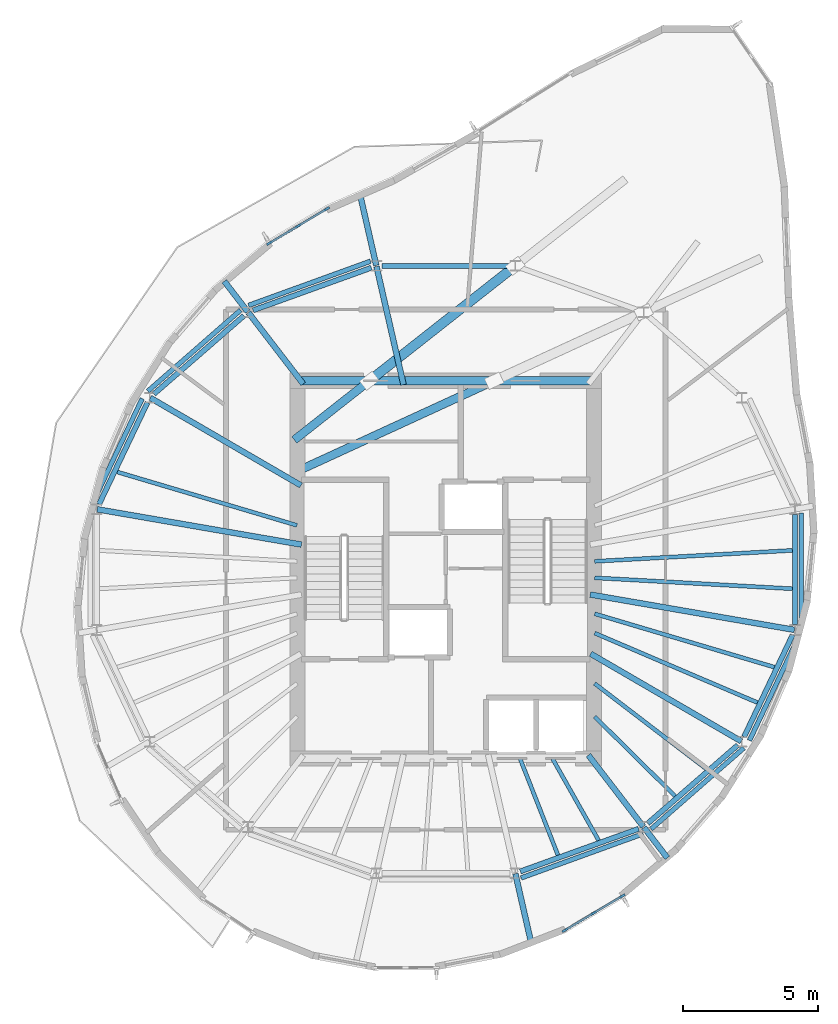
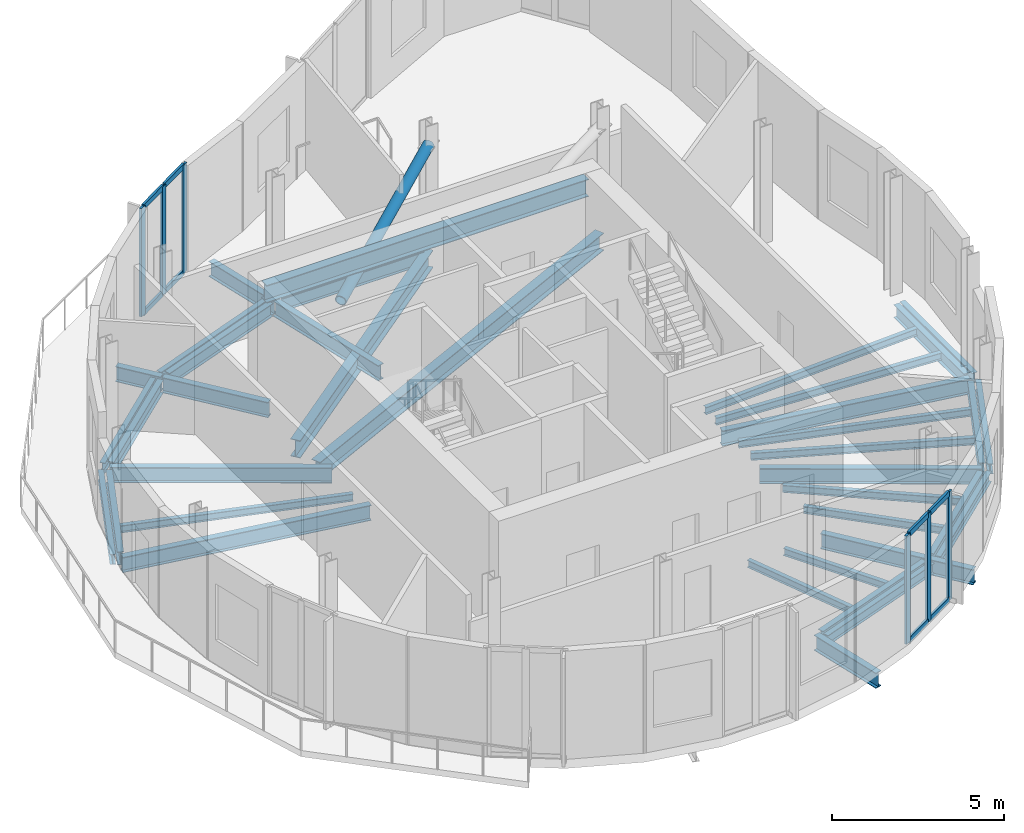
# One storey, part 2 of 8: 38 beams, 15 members, 2 elements without a shape of their own.
"""IFC4 building model written with IfcOpenShell, lengths in metres."""

from ifc_helpers import new_model, si_unit, direction, frame, origin, origin_2d, place, context, subcontext, project, spatial, rectangle, hollow_circle, i_section, extrude, material, material_profile, profile_set, type_object, element, aggregate, save


model = new_model("IFC4")

# Units and contexts
model_context = context("Model", 3, precision=1e-05, world=origin(), true_north=direction((0.0, 1.0)))
body_context = subcontext(model_context, "Body", "Model", "MODEL_VIEW")
ifc_project = project(units=[si_unit("LENGTHUNIT", "METRE"), si_unit("AREAUNIT", "SQUARE_METRE"), si_unit("VOLUMEUNIT", "CUBIC_METRE"), si_unit("PLANEANGLEUNIT", "RADIAN"), si_unit("MASSUNIT", "GRAM", prefix="KILO")], contexts=[model_context])

# Site, building, storey
site_placement = place(None, origin())
site = spatial("IfcSite", under=ifc_project, at=site_placement, CompositionType="ELEMENT")
building_placement = place(site_placement, origin())
building = spatial("IfcBuilding", under=site, at=building_placement, Name="Veldorim Arch Residences", CompositionType="ELEMENT")
storey_placement = place(building_placement, frame((0.0, 0.0, 246.8798828125)))
storey = spatial("IfcBuildingStorey", under=building, at=storey_placement, Name="L74", CompositionType="ELEMENT", Elevation=246.8798828125)

# Member
ifc_material_1 = material(Name="Steel S460", Category="steel")
ifc_material_profile_1 = material_profile(ifc_material_1, hollow_circle(Radius=0.177734375, WallThickness=0.02490234375, at=origin_2d()), Name="CHS355.6x25")
ifc_profile_set_1 = profile_set([ifc_material_profile_1], Name="Steel S460")
member_type_1 = type_object("IfcMemberType", Name="Crown Diagrid CHS355.6x25", PredefinedType="STRUT", material=ifc_profile_set_1)
member_1_placement = place(storey_placement, frame((29.16650390625, 31.0, 2.300048828125), z_axis=(0.77647321785, 0.611498069506, 0.152182301702), x_axis=(-0.618704466465, 0.785623817852, 0.0)))
element("IfcMember", 1, at=member_1_placement, inside=storey, type_object=member_type_1, Name="Observation prow truss 2 back-span brace L74", PredefinedType="STRUT", context=body_context, shape_type="SweptSolid", body=[
    extrude(hollow_circle(Radius=0.177734375, WallThickness=0.02490234375, at=origin_2d()), origin(), (0.0, 0.0, 1.0), 6.9658203125),
])

# Curtain wall, members
ifc_material_2 = material(Name="Aluminium", Category="aluminium")
curtain_wall_type = type_object("IfcCurtainWallType", Name="Sky Lounge & Conservatory Tall Curtain Wall", PredefinedType="NOTDEFINED", material=ifc_material_2)
curtain_wall_1_placement = place(storey_placement, origin())
curtain_wall_1 = element("IfcCurtainWall", 2, at=curtain_wall_1_placement, inside=storey, type_object=curtain_wall_type, Name="L74 unitised curtain wall bay 06", PredefinedType="NOTDEFINED")
ifc_material_3 = material(Name="Aluminium", Category="aluminium")
ifc_material_profile_2 = material_profile(ifc_material_3, rectangle(XDim=0.080078125, YDim=0.219970703125, at=origin_2d()), Name="ALU_MUL_80x220")
ifc_profile_set_2 = profile_set([ifc_material_profile_2], Name="Aluminium")
member_type_2 = type_object("IfcMemberType", Name="Sky Lounge & Conservatory Tall Curtain Wall Mullion 80x220", PredefinedType="MULLION", material=ifc_profile_set_2)
member_2_placement = place(storey_placement, frame((25.45751953125, 36.103759765625, 0.0), z_axis=(0.0, 0.0, 1.0), x_axis=(-0.512467262114, 0.858706763256, 0.0)))
member_2 = element("IfcMember", 3, at=member_2_placement, type_object=member_type_2, Name="CW-SKY mullion 1", PredefinedType="MULLION", context=body_context, shape_type="SweptSolid", body=[
    extrude(rectangle(XDim=0.080078125, YDim=0.219970703125, at=origin_2d()), origin(), (0.0, 0.0, 1.0), 3.840087890625),
])
member_3_placement = place(storey_placement, frame((26.522705078125, 36.739501953125, 0.0), z_axis=(0.0, 0.0, 1.0), x_axis=(-0.512467262114, 0.858706763256, 0.0)))
member_3 = element("IfcMember", 4, at=member_3_placement, type_object=member_type_2, Name="CW-SKY mullion 2", PredefinedType="MULLION", context=body_context, shape_type="SweptSolid", body=[
    extrude(rectangle(XDim=0.080078125, YDim=0.219970703125, at=origin_2d()), origin(), (0.0, 0.0, 1.0), 3.840087890625),
])
member_4_placement = place(storey_placement, frame((27.587890625, 37.375, 0.0), z_axis=(0.0, 0.0, 1.0), x_axis=(-0.512467262114, 0.858706763256, 0.0)))
member_4 = element("IfcMember", 5, at=member_4_placement, type_object=member_type_2, Name="CW-SKY mullion 3", PredefinedType="MULLION", context=body_context, shape_type="SweptSolid", body=[
    extrude(rectangle(XDim=0.080078125, YDim=0.219970703125, at=origin_2d()), origin(), (0.0, 0.0, 1.0), 3.840087890625),
])

curtain_wall_2_placement = place(storey_placement, origin())
curtain_wall_2 = element("IfcCurtainWall", 6, at=curtain_wall_2_placement, inside=storey, type_object=curtain_wall_type, Name="L74 unitised curtain wall bay 24", PredefinedType="NOTDEFINED")
member_5_placement = place(storey_placement, frame((38.54248046875, 11.896240234375, 0.0), z_axis=(0.0, 0.0, 1.0), x_axis=(0.512467262114, -0.858706763256, 0.0)))
member_5 = element("IfcMember", 7, at=member_5_placement, type_object=member_type_2, Name="CW-SKY mullion 1", PredefinedType="MULLION", context=body_context, shape_type="SweptSolid", body=[
    extrude(rectangle(XDim=0.080078125, YDim=0.219970703125, at=origin_2d()), origin(), (0.0, 0.0, 1.0), 3.840087890625),
])
member_6_placement = place(storey_placement, frame((37.477294921875, 11.260498046875, 0.0), z_axis=(0.0, 0.0, 1.0), x_axis=(0.512467262114, -0.858706763256, 0.0)))
member_6 = element("IfcMember", 8, at=member_6_placement, type_object=member_type_2, Name="CW-SKY mullion 2", PredefinedType="MULLION", context=body_context, shape_type="SweptSolid", body=[
    extrude(rectangle(XDim=0.080078125, YDim=0.219970703125, at=origin_2d()), origin(), (0.0, 0.0, 1.0), 3.840087890625),
])
member_7_placement = place(storey_placement, frame((36.412109375, 10.625, 0.0), z_axis=(0.0, 0.0, 1.0), x_axis=(0.512467262114, -0.858706763256, 0.0)))
member_7 = element("IfcMember", 9, at=member_7_placement, type_object=member_type_2, Name="CW-SKY mullion 3", PredefinedType="MULLION", context=body_context, shape_type="SweptSolid", body=[
    extrude(rectangle(XDim=0.080078125, YDim=0.219970703125, at=origin_2d()), origin(), (0.0, 0.0, 1.0), 3.840087890625),
])

# Member
ifc_material_4 = material(Name="Aluminium", Category="aluminium")
ifc_material_profile_3 = material_profile(ifc_material_4, rectangle(XDim=0.080078125, YDim=0.18505859375, at=origin_2d()), Name="ALU_TRN_80x185")
ifc_profile_set_3 = profile_set([ifc_material_profile_3], Name="Aluminium")
member_type_3 = type_object("IfcMemberType", Name="Sky Lounge & Conservatory Tall Curtain Wall Transom 80x185", PredefinedType="USERDEFINED", material=ifc_profile_set_3)
member_8_placement = place(storey_placement, frame((25.49169921875, 36.124267578125, 0.0400390625), z_axis=(0.858715569647, 0.512452505551, 0.0), x_axis=(-0.512452505551, 0.858715569647, 0.0)))
member_8 = element("IfcMember", 10, at=member_8_placement, type_object=member_type_3, Name="CW-SKY transom 1.1", ObjectType="TRANSOM", PredefinedType="USERDEFINED", context=body_context, shape_type="SweptSolid", body=[
    extrude(rectangle(XDim=0.080078125, YDim=0.18505859375, at=origin_2d()), origin(), (0.0, 0.0, 1.0), 1.16064453125),
])

member_9_placement = place(storey_placement, frame((25.49169921875, 36.124267578125, 3.800048828125), z_axis=(0.858715569647, 0.512452505551, 0.0), x_axis=(-0.512452505551, 0.858715569647, 0.0)))
member_9 = element("IfcMember", 11, at=member_9_placement, type_object=member_type_3, Name="CW-SKY transom 1.2", ObjectType="TRANSOM", PredefinedType="USERDEFINED", context=body_context, shape_type="SweptSolid", body=[
    extrude(rectangle(XDim=0.080078125, YDim=0.18505859375, at=origin_2d()), origin(), (0.0, 0.0, 1.0), 1.16064453125),
])

member_10_placement = place(storey_placement, frame((26.556884765625, 36.760009765625, 0.0400390625), z_axis=(0.858808137537, 0.512297357889, 0.0), x_axis=(-0.512297357889, 0.858808137537, 0.0)))
member_10 = element("IfcMember", 12, at=member_10_placement, type_object=member_type_3, Name="CW-SKY transom 2.1", ObjectType="TRANSOM", PredefinedType="USERDEFINED", context=body_context, shape_type="SweptSolid", body=[
    extrude(rectangle(XDim=0.080078125, YDim=0.18505859375, at=origin_2d()), origin(), (0.0, 0.0, 1.0), 1.160400390625),
])

member_11_placement = place(storey_placement, frame((26.556884765625, 36.760009765625, 3.800048828125), z_axis=(0.858808137537, 0.512297357889, 0.0), x_axis=(-0.512297357889, 0.858808137537, 0.0)))
member_11 = element("IfcMember", 13, at=member_11_placement, type_object=member_type_3, Name="CW-SKY transom 2.2", ObjectType="TRANSOM", PredefinedType="USERDEFINED", context=body_context, shape_type="SweptSolid", body=[
    extrude(rectangle(XDim=0.080078125, YDim=0.18505859375, at=origin_2d()), origin(), (0.0, 0.0, 1.0), 1.160400390625),
])

aggregate(curtain_wall_1, [member_2, member_3, member_4, member_8, member_9, member_10, member_11])

member_12_placement = place(storey_placement, frame((38.50830078125, 11.875732421875, 0.0400390625), z_axis=(-0.858715569647, -0.512452505551, 0.0), x_axis=(0.512452505551, -0.858715569647, 0.0)))
member_12 = element("IfcMember", 14, at=member_12_placement, type_object=member_type_3, Name="CW-SKY transom 1.1", ObjectType="TRANSOM", PredefinedType="USERDEFINED", context=body_context, shape_type="SweptSolid", body=[
    extrude(rectangle(XDim=0.080078125, YDim=0.18505859375, at=origin_2d()), origin(), (0.0, 0.0, 1.0), 1.16064453125),
])

member_13_placement = place(storey_placement, frame((38.50830078125, 11.875732421875, 3.800048828125), z_axis=(-0.858715569647, -0.512452505551, 0.0), x_axis=(0.512452505551, -0.858715569647, 0.0)))
member_13 = element("IfcMember", 15, at=member_13_placement, type_object=member_type_3, Name="CW-SKY transom 1.2", ObjectType="TRANSOM", PredefinedType="USERDEFINED", context=body_context, shape_type="SweptSolid", body=[
    extrude(rectangle(XDim=0.080078125, YDim=0.18505859375, at=origin_2d()), origin(), (0.0, 0.0, 1.0), 1.16064453125),
])

member_14_placement = place(storey_placement, frame((37.443115234375, 11.239990234375, 0.0400390625), z_axis=(-0.858808137537, -0.512297357889, 0.0), x_axis=(0.512297357889, -0.858808137537, 0.0)))
member_14 = element("IfcMember", 16, at=member_14_placement, type_object=member_type_3, Name="CW-SKY transom 2.1", ObjectType="TRANSOM", PredefinedType="USERDEFINED", context=body_context, shape_type="SweptSolid", body=[
    extrude(rectangle(XDim=0.080078125, YDim=0.18505859375, at=origin_2d()), origin(), (0.0, 0.0, 1.0), 1.160400390625),
])

member_15_placement = place(storey_placement, frame((37.443115234375, 11.239990234375, 3.800048828125), z_axis=(-0.858808137537, -0.512297357889, 0.0), x_axis=(0.512297357889, -0.858808137537, 0.0)))
member_15 = element("IfcMember", 17, at=member_15_placement, type_object=member_type_3, Name="CW-SKY transom 2.2", ObjectType="TRANSOM", PredefinedType="USERDEFINED", context=body_context, shape_type="SweptSolid", body=[
    extrude(rectangle(XDim=0.080078125, YDim=0.18505859375, at=origin_2d()), origin(), (0.0, 0.0, 1.0), 1.160400390625),
])

aggregate(curtain_wall_2, [member_5, member_6, member_7, member_12, member_13, member_14, member_15])

# Beams
ifc_material_5 = material(Name="Steel S355", Category="steel")
ifc_material_profile_4 = material_profile(ifc_material_5, i_section(OverallWidth=0.2119140625, OverallDepth=0.54443359375, WebThickness=0.0126953125, FlangeThickness=0.021240234375, at=origin_2d()), Name="UB533x210x122")
ifc_profile_set_4 = profile_set([ifc_material_profile_4], Name="Steel S355")
beam_type_1 = type_object("IfcBeamType", Name="Structural Steel Beam UB533x210x122", PredefinedType="BEAM", material=ifc_profile_set_4)
beam_1_placement = place(storey_placement, frame((30.432373046875, 30.853759765625, -0.59228515625), z_axis=(-0.222952976993, 0.97482920045, 0.0), x_axis=(-0.97482920045, -0.222952976993, 0.0)))
element("IfcBeam", 18, at=beam_1_placement, inside=storey, type_object=beam_type_1, Name="L74 radial floor girder 05", PredefinedType="BEAM", context=body_context, shape_type="SweptSolid", body=[
    extrude(i_section(OverallWidth=0.2119140625, OverallDepth=0.54443359375, WebThickness=0.0126953125, FlangeThickness=0.021240234375, at=origin_2d()), origin(), (0.0, 0.0, 1.0), 4.49951171875),
])
beam_2_placement = place(storey_placement, frame((29.42041015625, 35.27880859375, -0.59228515625), z_axis=(-0.222942725709, 0.974831544962, 0.0), x_axis=(-0.974831544962, -0.222942725709, 0.0)))
element("IfcBeam", 19, at=beam_2_placement, inside=storey, type_object=beam_type_1, Name="L74 radial edge cantilever girder 05", PredefinedType="BEAM", context=body_context, shape_type="SweptSolid", body=[
    extrude(i_section(OverallWidth=0.2119140625, OverallDepth=0.54443359375, WebThickness=0.0126953125, FlangeThickness=0.021240234375, at=origin_2d()), origin(), (0.0, 0.0, 1.0), 2.6982421875),
])
beam_3_placement = place(storey_placement, frame((26.71337890625, 30.881103515625, -0.59228515625), z_axis=(-0.609258442308, 0.792971721108, 0.0), x_axis=(-0.792971721108, -0.609258442308, 0.0)))
element("IfcBeam", 20, at=beam_3_placement, inside=storey, type_object=beam_type_1, Name="L74 radial floor girder 06", PredefinedType="BEAM", context=body_context, shape_type="SweptSolid", body=[
    extrude(i_section(OverallWidth=0.2119140625, OverallDepth=0.54443359375, WebThickness=0.0126953125, FlangeThickness=0.021240234375, at=origin_2d()), origin(), (0.0, 0.0, 1.0), 3.339599609375),
])
beam_4_placement = place(storey_placement, frame((24.654296875, 33.561279296875, -0.59228515625), z_axis=(-0.609255133967, 0.792974262972, 0.0), x_axis=(-0.792974262972, -0.609255133967, 0.0)))
element("IfcBeam", 21, at=beam_4_placement, inside=storey, type_object=beam_type_1, Name="L74 radial edge cantilever girder 06", PredefinedType="BEAM", context=body_context, shape_type="SweptSolid", body=[
    extrude(i_section(OverallWidth=0.2119140625, OverallDepth=0.54443359375, WebThickness=0.0126953125, FlangeThickness=0.021240234375, at=origin_2d()), origin(), (0.0, 0.0, 1.0), 1.424560546875),
])
beam_5_placement = place(storey_placement, frame((26.629638671875, 27.12060546875, -0.59228515625), z_axis=(-0.864595736304, 0.502468121142, 0.0), x_axis=(-0.502468121142, -0.864595736304, 0.0)))
element("IfcBeam", 22, at=beam_5_placement, inside=storey, type_object=beam_type_1, Name="L74 radial floor girder 07", PredefinedType="BEAM", context=body_context, shape_type="SweptSolid", body=[
    extrude(i_section(OverallWidth=0.2119140625, OverallDepth=0.54443359375, WebThickness=0.0126953125, FlangeThickness=0.021240234375, at=origin_2d()), origin(), (0.0, 0.0, 1.0), 6.462646484375),
])
beam_6_placement = place(storey_placement, frame((26.647705078125, 24.92578125, -0.59228515625), z_axis=(-0.985364974081, 0.170457818401, 0.0), x_axis=(-0.170457818401, -0.985364974081, 0.0)))
element("IfcBeam", 23, at=beam_6_placement, inside=storey, type_object=beam_type_1, Name="L74 radial floor girder 08", PredefinedType="BEAM", context=body_context, shape_type="SweptSolid", body=[
    extrude(i_section(OverallWidth=0.2119140625, OverallDepth=0.54443359375, WebThickness=0.0126953125, FlangeThickness=0.021240234375, at=origin_2d()), origin(), (0.0, 0.0, 1.0), 7.68701171875),
])
beam_7_placement = place(storey_placement, frame((34.57958984375, 12.72119140625, -0.59228515625), z_axis=(0.222947831491, -0.974830377262, 0.0), x_axis=(0.974830377262, 0.222947831491, 0.0)))
element("IfcBeam", 24, at=beam_7_placement, inside=storey, type_object=beam_type_1, Name="L74 radial edge cantilever girder 13", PredefinedType="BEAM", context=body_context, shape_type="SweptSolid", body=[
    extrude(i_section(OverallWidth=0.2119140625, OverallDepth=0.54443359375, WebThickness=0.0126953125, FlangeThickness=0.021240234375, at=origin_2d()), origin(), (0.0, 0.0, 1.0), 2.64013671875),
])
beam_8_placement = place(storey_placement, frame((37.28662109375, 17.118896484375, -0.59228515625), z_axis=(0.609258442308, -0.792971721108, 0.0), x_axis=(0.792971721108, 0.609258442308, 0.0)))
element("IfcBeam", 25, at=beam_8_placement, inside=storey, type_object=beam_type_1, Name="L74 radial floor girder 14", PredefinedType="BEAM", context=body_context, shape_type="SweptSolid", body=[
    extrude(i_section(OverallWidth=0.2119140625, OverallDepth=0.54443359375, WebThickness=0.0126953125, FlangeThickness=0.021240234375, at=origin_2d()), origin(), (0.0, 0.0, 1.0), 3.339599609375),
])
beam_9_placement = place(storey_placement, frame((39.345703125, 14.438720703125, -0.59228515625), z_axis=(0.609255133967, -0.792974262972, 0.0), x_axis=(0.792974262972, 0.609255133967, 0.0)))
element("IfcBeam", 26, at=beam_9_placement, inside=storey, type_object=beam_type_1, Name="L74 radial edge cantilever girder 14", PredefinedType="BEAM", context=body_context, shape_type="SweptSolid", body=[
    extrude(i_section(OverallWidth=0.2119140625, OverallDepth=0.54443359375, WebThickness=0.0126953125, FlangeThickness=0.021240234375, at=origin_2d()), origin(), (0.0, 0.0, 1.0), 1.424560546875),
])
beam_10_placement = place(storey_placement, frame((37.370361328125, 20.87939453125, -0.59228515625), z_axis=(0.864595736304, -0.502468121142, 0.0), x_axis=(0.502468121142, 0.864595736304, 0.0)))
element("IfcBeam", 27, at=beam_10_placement, inside=storey, type_object=beam_type_1, Name="L74 radial floor girder 15", PredefinedType="BEAM", context=body_context, shape_type="SweptSolid", body=[
    extrude(i_section(OverallWidth=0.2119140625, OverallDepth=0.54443359375, WebThickness=0.0126953125, FlangeThickness=0.021240234375, at=origin_2d()), origin(), (0.0, 0.0, 1.0), 6.462646484375),
])
beam_11_placement = place(storey_placement, frame((37.352294921875, 23.07421875, -0.59228515625), z_axis=(0.985364974081, -0.170457818401, 0.0), x_axis=(0.170457818401, 0.985364974081, 0.0)))
element("IfcBeam", 28, at=beam_11_placement, inside=storey, type_object=beam_type_1, Name="L74 radial floor girder 16", PredefinedType="BEAM", context=body_context, shape_type="SweptSolid", body=[
    extrude(i_section(OverallWidth=0.2119140625, OverallDepth=0.54443359375, WebThickness=0.0126953125, FlangeThickness=0.021240234375, at=origin_2d()), origin(), (0.0, 0.0, 1.0), 7.68701171875),
])
ifc_material_6 = material(Name="Steel S355", Category="steel")
ifc_material_profile_5 = material_profile(ifc_material_6, i_section(OverallWidth=0.30712890625, OverallDepth=0.6201171875, WebThickness=0.01416015625, FlangeThickness=0.023681640625, at=origin_2d()), Name="UB610x305x179")
ifc_profile_set_5 = profile_set([ifc_material_profile_5], Name="Steel S355")
beam_type_2 = type_object("IfcBeamType", Name="Structural Steel Beam UB610x305x179", PredefinedType="BEAM", material=ifc_profile_set_5)
beam_12_placement = place(storey_placement, frame((26.36376953125, 27.58740234375, -0.639892578125), z_axis=(0.908701957985, 0.417445507287, 0.0), x_axis=(-0.417445507287, 0.908701957985, 0.0)))
element("IfcBeam", 29, at=beam_12_placement, inside=storey, type_object=beam_type_2, Name="Observation prow back-span transfer girder 1 L74", PredefinedType="BEAM", context=body_context, shape_type="SweptSolid", body=[
    extrude(i_section(OverallWidth=0.30712890625, OverallDepth=0.6201171875, WebThickness=0.01416015625, FlangeThickness=0.023681640625, at=origin_2d()), origin(), (0.0, 0.0, 1.0), 14.252685546875),
])
beam_13_placement = place(storey_placement, frame((26.60009765625, 31.0, 3.510009765625), z_axis=(1.0, 0.0, 0.0), x_axis=(0.0, 1.0, 0.0)))
element("IfcBeam", 30, at=beam_13_placement, inside=storey, type_object=beam_type_2, Name="Observation prow truss 2 core anchor top girder", PredefinedType="BEAM", context=body_context, shape_type="SweptSolid", body=[
    extrude(i_section(OverallWidth=0.30712890625, OverallDepth=0.6201171875, WebThickness=0.01416015625, FlangeThickness=0.023681640625, at=origin_2d()), origin(), (0.0, 0.0, 1.0), 10.7998046875),
])
beam_14_placement = place(storey_placement, frame((26.382080078125, 28.80712890625, -0.639892578125), z_axis=(0.785628476645, 0.618698550737, 0.0), x_axis=(-0.618698550737, 0.785628476645, 0.0)))
element("IfcBeam", 31, at=beam_14_placement, inside=storey, type_object=beam_type_2, Name="Observation prow back-span transfer girder 2 L74", PredefinedType="BEAM", context=body_context, shape_type="SweptSolid", body=[
    extrude(i_section(OverallWidth=0.30712890625, OverallDepth=0.6201171875, WebThickness=0.01416015625, FlangeThickness=0.023681640625, at=origin_2d()), origin(), (0.0, 0.0, 1.0), 10.408935546875),
])
ifc_material_7 = material(Name="Steel S355", Category="steel")
ifc_material_profile_6 = material_profile(ifc_material_7, i_section(OverallWidth=0.146484375, OverallDepth=0.256103515625, WebThickness=0.00634765625, FlangeThickness=0.010986328125, at=origin_2d()), Name="UB254x146x37")
ifc_profile_set_6 = profile_set([ifc_material_profile_6], Name="Steel S355")
beam_type_3 = type_object("IfcBeamType", Name="Structural Steel Joist UB254x146x37", PredefinedType="JOIST", material=ifc_profile_set_6)
beam_15_placement = place(storey_placement, frame((26.480712890625, 25.639404296875, -0.447998046875), z_axis=(-0.958594432792, 0.284774846889, 0.0), x_axis=(-0.284774846889, -0.958594432792, 0.0)))
element("IfcBeam", 32, at=beam_15_placement, inside=storey, type_object=beam_type_3, Name="L74 secondary radial floor joist 07-2", PredefinedType="JOIST", context=body_context, shape_type="SweptSolid", body=[
    extrude(i_section(OverallWidth=0.146484375, OverallDepth=0.256103515625, WebThickness=0.00634765625, FlangeThickness=0.010986328125, at=origin_2d()), origin(), (0.0, 0.0, 1.0), 6.949462890625),
])
beam_16_placement = place(storey_placement, frame((34.75634765625, 16.9814453125, -0.447998046875), z_axis=(0.365581383042, -0.930779379001, 0.0), x_axis=(0.930779379001, 0.365581383042, 0.0)))
element("IfcBeam", 33, at=beam_16_placement, inside=storey, type_object=beam_type_3, Name="L74 secondary radial floor joist 13-1", PredefinedType="JOIST", context=body_context, shape_type="SweptSolid", body=[
    extrude(i_section(OverallWidth=0.146484375, OverallDepth=0.256103515625, WebThickness=0.00634765625, FlangeThickness=0.010986328125, at=origin_2d()), origin(), (0.0, 0.0, 1.0), 3.83056640625),
])
beam_17_placement = place(storey_placement, frame((35.960205078125, 16.982666015625, -0.447998046875), z_axis=(0.491452469585, -0.870904397818, 0.0), x_axis=(0.870904397818, 0.491452469585, 0.0)))
element("IfcBeam", 34, at=beam_17_placement, inside=storey, type_object=beam_type_3, Name="L74 secondary radial floor joist 13-2", PredefinedType="JOIST", context=body_context, shape_type="SweptSolid", body=[
    extrude(i_section(OverallWidth=0.146484375, OverallDepth=0.256103515625, WebThickness=0.00634765625, FlangeThickness=0.010986328125, at=origin_2d()), origin(), (0.0, 0.0, 1.0), 3.472412109375),
])
beam_18_placement = place(storey_placement, frame((37.51416015625, 18.55224609375, -0.447998046875), z_axis=(0.711396725432, -0.702790650937, 0.0), x_axis=(0.702790650937, 0.711396725432, 0.0)))
element("IfcBeam", 35, at=beam_18_placement, inside=storey, type_object=beam_type_3, Name="L74 secondary radial floor joist 14-1", PredefinedType="JOIST", context=body_context, shape_type="SweptSolid", body=[
    extrude(i_section(OverallWidth=0.146484375, OverallDepth=0.256103515625, WebThickness=0.00634765625, FlangeThickness=0.010986328125, at=origin_2d()), origin(), (0.0, 0.0, 1.0), 4.198486328125),
])
beam_19_placement = place(storey_placement, frame((37.515869140625, 19.777099609375, -0.447998046875), z_axis=(0.794013672216, -0.607899899929, 0.0), x_axis=(0.607899899929, 0.794013672216, 0.0)))
element("IfcBeam", 36, at=beam_19_placement, inside=storey, type_object=beam_type_3, Name="L74 secondary radial floor joist 14-2", PredefinedType="JOIST", context=body_context, shape_type="SweptSolid", body=[
    extrude(i_section(OverallWidth=0.146484375, OverallDepth=0.256103515625, WebThickness=0.00634765625, FlangeThickness=0.010986328125, at=origin_2d()), origin(), (0.0, 0.0, 1.0), 5.217041015625),
])
beam_20_placement = place(storey_placement, frame((37.518310546875, 21.644287109375, -0.447998046875), z_axis=(0.919725161652, -0.392562895629, 0.0), x_axis=(0.392562895629, 0.919725161652, 0.0)))
element("IfcBeam", 37, at=beam_20_placement, inside=storey, type_object=beam_type_3, Name="L74 secondary radial floor joist 15-1", PredefinedType="JOIST", context=body_context, shape_type="SweptSolid", body=[
    extrude(i_section(OverallWidth=0.146484375, OverallDepth=0.256103515625, WebThickness=0.00634765625, FlangeThickness=0.010986328125, at=origin_2d()), origin(), (0.0, 0.0, 1.0), 6.5625),
])
beam_21_placement = place(storey_placement, frame((37.519287109375, 22.360595703125, -0.447998046875), z_axis=(0.958594432792, -0.284774846889, 0.0), x_axis=(0.284774846889, 0.958594432792, 0.0)))
element("IfcBeam", 38, at=beam_21_placement, inside=storey, type_object=beam_type_3, Name="L74 secondary radial floor joist 15-2", PredefinedType="JOIST", context=body_context, shape_type="SweptSolid", body=[
    extrude(i_section(OverallWidth=0.146484375, OverallDepth=0.256103515625, WebThickness=0.00634765625, FlangeThickness=0.010986328125, at=origin_2d()), origin(), (0.0, 0.0, 1.0), 6.949462890625),
])
for number, where, z_axis, x_axis, name in (
    (39, (37.52001953125, 23.6943359375, -0.447998046875), (0.998472000884, -0.055259962464, 0.0), (0.055259962464, 0.998472000884, 0.0), "L74 secondary radial floor joist 16-1"),
    (40, (37.52001953125, 24.3056640625, -0.447998046875), (0.998472000884, 0.055259962464, 0.0), (-0.055259962464, 0.998472000884, 0.0), "L74 secondary radial floor joist 16-2"),
):
    element("IfcBeam", number, at=place(storey_placement, frame(where, z_axis=z_axis, x_axis=x_axis)), inside=storey, type_object=beam_type_3, Name=name, PredefinedType="JOIST", context=body_context, shape_type="SweptSolid", body=[
        extrude(i_section(OverallWidth=0.146484375, OverallDepth=0.256103515625, WebThickness=0.00634765625, FlangeThickness=0.010986328125, at=origin_2d()), origin(), (0.0, 0.0, 1.0), 7.33837890625),
    ])
ifc_material_8 = material(Name="Steel S355", Category="steel")
ifc_material_profile_7 = material_profile(ifc_material_8, i_section(OverallWidth=0.172119140625, OverallDepth=0.35791015625, WebThickness=0.008056640625, FlangeThickness=0.012939453125, at=origin_2d()), Name="UB356x171x57")
ifc_profile_set_7 = profile_set([ifc_material_profile_7], Name="Steel S355")
beam_type_4 = type_object("IfcBeamType", Name="Structural Steel Spandrel UB356x171x57", PredefinedType="SPANDREL", material=ifc_profile_set_7)
beam_22_placement = place(storey_placement, frame((29.206298828125, 35.43359375, -0.518798828125), z_axis=(-0.940181197783, -0.340674794099, 0.0), x_axis=(0.340674794099, -0.940181197783, 0.0)))
element("IfcBeam", 41, at=beam_22_placement, inside=storey, type_object=beam_type_4, Name="L74 perimeter chord spandrel beam 05", PredefinedType="SPANDREL", context=body_context, shape_type="SweptSolid", body=[
    extrude(i_section(OverallWidth=0.172119140625, OverallDepth=0.35791015625, WebThickness=0.008056640625, FlangeThickness=0.012939453125, at=origin_2d()), origin(), (0.0, 0.0, 1.0), 4.80859375),
])
beam_23_placement = place(storey_placement, frame((24.38818359375, 33.6201171875, -0.518798828125), z_axis=(-0.752901089301, -0.658133686821, 0.0), x_axis=(0.658133686821, -0.752901089301, 0.0)))
element("IfcBeam", 42, at=beam_23_placement, inside=storey, type_object=beam_type_4, Name="L74 perimeter chord spandrel beam 06", PredefinedType="SPANDREL", context=body_context, shape_type="SweptSolid", body=[
    extrude(i_section(OverallWidth=0.172119140625, OverallDepth=0.35791015625, WebThickness=0.008056640625, FlangeThickness=0.012939453125, at=origin_2d()), origin(), (0.0, 0.0, 1.0), 4.567626953125),
])
beam_24_placement = place(storey_placement, frame((20.741943359375, 30.33984375, -0.518798828125), z_axis=(-0.428453398876, -0.903563879862, 0.0), x_axis=(0.903563879862, -0.428453398876, 0.0)))
element("IfcBeam", 43, at=beam_24_placement, inside=storey, type_object=beam_type_4, Name="L74 perimeter chord spandrel beam 07", PredefinedType="SPANDREL", context=body_context, shape_type="SweptSolid", body=[
    extrude(i_section(OverallWidth=0.172119140625, OverallDepth=0.35791015625, WebThickness=0.008056640625, FlangeThickness=0.012939453125, at=origin_2d()), origin(), (0.0, 0.0, 1.0), 4.31689453125),
])
beam_25_placement = place(storey_placement, frame((34.793701171875, 12.56640625, -0.518798828125), z_axis=(0.940181197783, 0.340674794099, 0.0), x_axis=(-0.340674794099, 0.940181197783, 0.0)))
element("IfcBeam", 44, at=beam_25_placement, inside=storey, type_object=beam_type_4, Name="L74 perimeter chord spandrel beam 13", PredefinedType="SPANDREL", context=body_context, shape_type="SweptSolid", body=[
    extrude(i_section(OverallWidth=0.172119140625, OverallDepth=0.35791015625, WebThickness=0.008056640625, FlangeThickness=0.012939453125, at=origin_2d()), origin(), (0.0, 0.0, 1.0), 4.80859375),
])
beam_26_placement = place(storey_placement, frame((39.61181640625, 14.3798828125, -0.518798828125), z_axis=(0.752901089301, 0.658133686821, 0.0), x_axis=(-0.658133686821, 0.752901089301, 0.0)))
element("IfcBeam", 45, at=beam_26_placement, inside=storey, type_object=beam_type_4, Name="L74 perimeter chord spandrel beam 14", PredefinedType="SPANDREL", context=body_context, shape_type="SweptSolid", body=[
    extrude(i_section(OverallWidth=0.172119140625, OverallDepth=0.35791015625, WebThickness=0.008056640625, FlangeThickness=0.012939453125, at=origin_2d()), origin(), (0.0, 0.0, 1.0), 4.567626953125),
])
beam_27_placement = place(storey_placement, frame((43.258056640625, 17.66015625, -0.518798828125), z_axis=(0.428453398876, 0.903563879862, 0.0), x_axis=(-0.903563879862, 0.428453398876, 0.0)))
element("IfcBeam", 46, at=beam_27_placement, inside=storey, type_object=beam_type_4, Name="L74 perimeter chord spandrel beam 15", PredefinedType="SPANDREL", context=body_context, shape_type="SweptSolid", body=[
    extrude(i_section(OverallWidth=0.172119140625, OverallDepth=0.35791015625, WebThickness=0.008056640625, FlangeThickness=0.012939453125, at=origin_2d()), origin(), (0.0, 0.0, 1.0), 4.31689453125),
])
beam_28_placement = place(storey_placement, frame((45.182861328125, 21.89501953125, -0.518798828125), z_axis=(0.0, 1.0, 0.0), x_axis=(-1.0, 0.0, 0.0)))
element("IfcBeam", 47, at=beam_28_placement, inside=storey, type_object=beam_type_4, Name="L74 perimeter chord spandrel beam 16", PredefinedType="SPANDREL", context=body_context, shape_type="SweptSolid", body=[
    extrude(i_section(OverallWidth=0.172119140625, OverallDepth=0.35791015625, WebThickness=0.008056640625, FlangeThickness=0.012939453125, at=origin_2d()), origin(), (0.0, 0.0, 1.0), 4.2099609375),
])
ifc_material_9 = material(Name="Steel S355", Category="steel")
ifc_material_profile_8 = material_profile(ifc_material_9, i_section(OverallWidth=0.19140625, OverallDepth=0.4599609375, WebThickness=0.010009765625, FlangeThickness=0.01611328125, at=origin_2d()), Name="UB457x191x82")
ifc_profile_set_8 = profile_set([ifc_material_profile_8], Name="Steel S355")
beam_type_5 = type_object("IfcBeamType", Name="Structural Steel Spandrel UB457x191x82", PredefinedType="SPANDREL", material=ifc_profile_set_8)
beam_29_placement = place(storey_placement, frame((34.375732421875, 35.259521484375, -0.5498046875), z_axis=(-1.0, 0.0, 0.0), x_axis=(0.0, -1.0, 0.0)))
element("IfcBeam", 48, at=beam_29_placement, inside=storey, type_object=beam_type_5, Name="L74 perimeter ring tie beam 04", PredefinedType="SPANDREL", context=body_context, shape_type="SweptSolid", body=[
    extrude(i_section(OverallWidth=0.19140625, OverallDepth=0.4599609375, WebThickness=0.010009765625, FlangeThickness=0.01611328125, at=origin_2d()), origin(), (0.0, 0.0, 1.0), 4.75146484375),
])
beam_30_placement = place(storey_placement, frame((29.237060546875, 35.19189453125, -0.5498046875), z_axis=(-0.940799194754, -0.338964415757, 0.0), x_axis=(0.338964415757, -0.940799194754, 0.0)))
element("IfcBeam", 49, at=beam_30_placement, inside=storey, type_object=beam_type_5, Name="L74 perimeter ring tie beam 05", PredefinedType="SPANDREL", context=body_context, shape_type="SweptSolid", body=[
    extrude(i_section(OverallWidth=0.19140625, OverallDepth=0.4599609375, WebThickness=0.010009765625, FlangeThickness=0.01611328125, at=origin_2d()), origin(), (0.0, 0.0, 1.0), 4.65869140625),
])
beam_31_placement = place(storey_placement, frame((24.51611328125, 33.414306640625, -0.5498046875), z_axis=(-0.754578219063, -0.656210112171, 0.0), x_axis=(0.656210112171, -0.754578219063, 0.0)))
element("IfcBeam", 50, at=beam_31_placement, inside=storey, type_object=beam_type_5, Name="L74 perimeter ring tie beam 06", PredefinedType="SPANDREL", context=body_context, shape_type="SweptSolid", body=[
    extrude(i_section(OverallWidth=0.19140625, OverallDepth=0.4599609375, WebThickness=0.010009765625, FlangeThickness=0.01611328125, at=origin_2d()), origin(), (0.0, 0.0, 1.0), 4.427734375),
])
beam_32_placement = place(storey_placement, frame((20.938720703125, 30.19775390625, -0.5498046875), z_axis=(-0.42997887291, -0.902838949564, 0.0), x_axis=(0.902838949564, -0.42997887291, 0.0)))
element("IfcBeam", 51, at=beam_32_placement, inside=storey, type_object=beam_type_5, Name="L74 perimeter ring tie beam 07", PredefinedType="SPANDREL", context=body_context, shape_type="SweptSolid", body=[
    extrude(i_section(OverallWidth=0.19140625, OverallDepth=0.4599609375, WebThickness=0.010009765625, FlangeThickness=0.01611328125, at=origin_2d()), origin(), (0.0, 0.0, 1.0), 4.1845703125),
])
beam_33_placement = place(storey_placement, frame((34.762939453125, 12.80810546875, -0.5498046875), z_axis=(0.940799194754, 0.338964415757, 0.0), x_axis=(-0.338964415757, 0.940799194754, 0.0)))
element("IfcBeam", 52, at=beam_33_placement, inside=storey, type_object=beam_type_5, Name="L74 perimeter ring tie beam 13", PredefinedType="SPANDREL", context=body_context, shape_type="SweptSolid", body=[
    extrude(i_section(OverallWidth=0.19140625, OverallDepth=0.4599609375, WebThickness=0.010009765625, FlangeThickness=0.01611328125, at=origin_2d()), origin(), (0.0, 0.0, 1.0), 4.65869140625),
])
beam_34_placement = place(storey_placement, frame((39.48388671875, 14.585693359375, -0.5498046875), z_axis=(0.754578219063, 0.656210112171, 0.0), x_axis=(-0.656210112171, 0.754578219063, 0.0)))
element("IfcBeam", 53, at=beam_34_placement, inside=storey, type_object=beam_type_5, Name="L74 perimeter ring tie beam 14", PredefinedType="SPANDREL", context=body_context, shape_type="SweptSolid", body=[
    extrude(i_section(OverallWidth=0.19140625, OverallDepth=0.4599609375, WebThickness=0.010009765625, FlangeThickness=0.01611328125, at=origin_2d()), origin(), (0.0, 0.0, 1.0), 4.427734375),
])
beam_35_placement = place(storey_placement, frame((43.061279296875, 17.80224609375, -0.5498046875), z_axis=(0.42997887291, 0.902838949564, 0.0), x_axis=(-0.902838949564, 0.42997887291, 0.0)))
element("IfcBeam", 54, at=beam_35_placement, inside=storey, type_object=beam_type_5, Name="L74 perimeter ring tie beam 15", PredefinedType="SPANDREL", context=body_context, shape_type="SweptSolid", body=[
    extrude(i_section(OverallWidth=0.19140625, OverallDepth=0.4599609375, WebThickness=0.010009765625, FlangeThickness=0.01611328125, at=origin_2d()), origin(), (0.0, 0.0, 1.0), 4.1845703125),
])
beam_36_placement = place(storey_placement, frame((44.9462890625, 21.9599609375, -0.5498046875), z_axis=(0.0, 1.0, 0.0), x_axis=(-1.0, 0.0, 0.0)))
element("IfcBeam", 55, at=beam_36_placement, inside=storey, type_object=beam_type_5, Name="L74 perimeter ring tie beam 16", PredefinedType="SPANDREL", context=body_context, shape_type="SweptSolid", body=[
    extrude(i_section(OverallWidth=0.19140625, OverallDepth=0.4599609375, WebThickness=0.010009765625, FlangeThickness=0.01611328125, at=origin_2d()), origin(), (0.0, 0.0, 1.0), 4.080078125),
])

save(model, "model.ifc")
